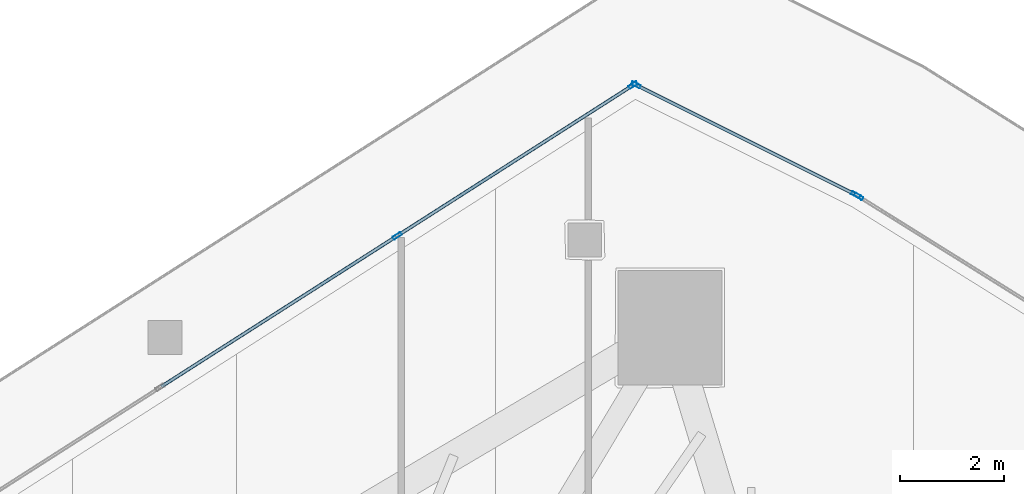
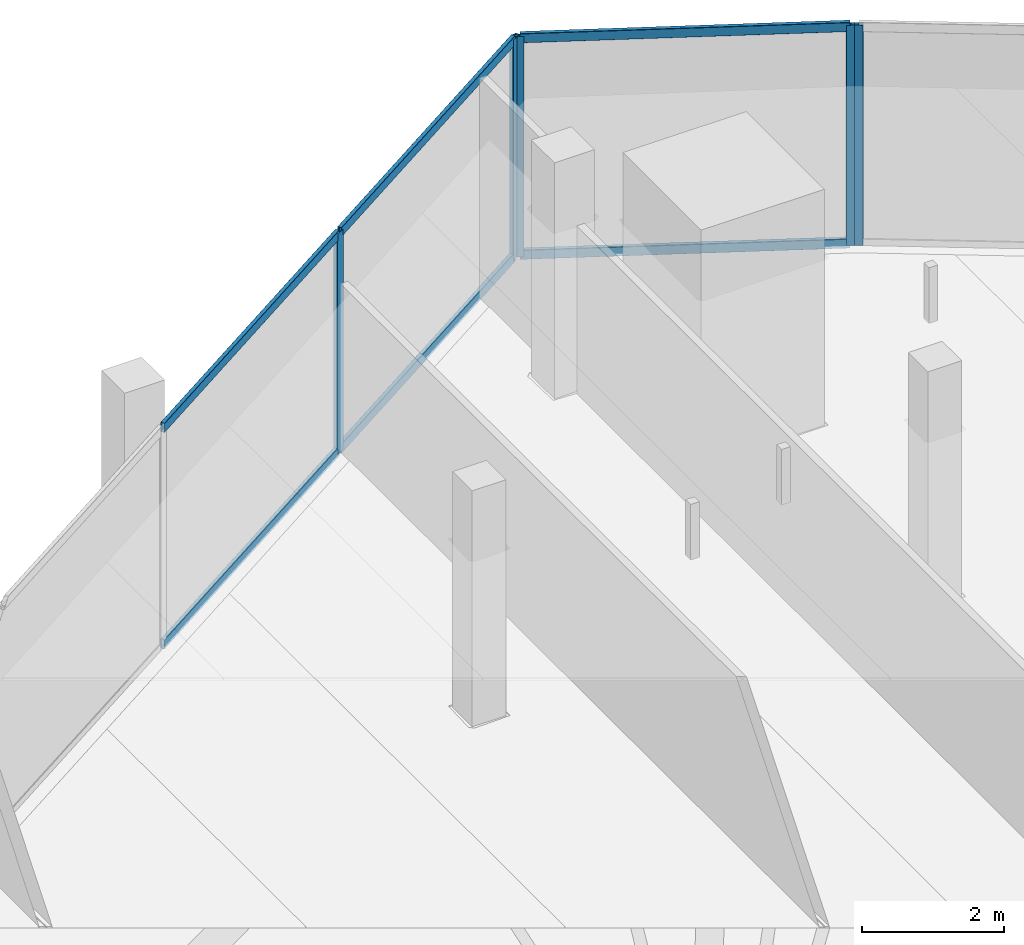
# One storey, part 21 of 38: 11 members, 3 elements without a shape of their own.
"""IFC4 building model written with IfcOpenShell, lengths in metres."""

from ifc_helpers import new_model, si_unit, direction, frame, origin, origin_2d, place, context, subcontext, project, spatial, hollow_rectangle, extrude, material, layer, layer_set, material_profile, profile_set, type_object, element, aggregate, save


model = new_model("IFC4")

# Units and contexts
model_context = context("Model", 3, precision=1e-05, world=origin(), true_north=direction((0.0, 1.0)))
body_context = subcontext(model_context, "Body", "Model", "MODEL_VIEW")
ifc_project = project(units=[si_unit("LENGTHUNIT", "METRE"), si_unit("AREAUNIT", "SQUARE_METRE"), si_unit("VOLUMEUNIT", "CUBIC_METRE"), si_unit("PLANEANGLEUNIT", "RADIAN"), si_unit("MASSUNIT", "GRAM", prefix="KILO")], contexts=[model_context])

# Site, building, storey
site_placement = place(None, origin())
site = spatial("IfcSite", under=ifc_project, at=site_placement, CompositionType="ELEMENT")
building_placement = place(site_placement, origin())
building = spatial("IfcBuilding", under=site, at=building_placement, Name="Qorvath Tower", CompositionType="ELEMENT")
storey_placement = place(building_placement, frame((0.0, 0.0, 146.25)))
storey = spatial("IfcBuildingStorey", under=building, at=storey_placement, Name="L33", CompositionType="ELEMENT", Elevation=146.25)

# Curtain wall, member
ifc_material_1 = material(Name="Anodised aluminium and triple low-E glass", Category="aluminium")
ifc_layer = layer(ifc_material_1, 0.179931640625)
ifc_layer_set = layer_set([ifc_layer], Name="CW-SYS-3")
curtain_wall_type = type_object("IfcCurtainWallType", Name="CW-SYS-3", PredefinedType="NOTDEFINED", material=ifc_layer_set)
curtain_wall_1_placement = place(storey_placement, origin())
curtain_wall_1 = element("IfcCurtainWall", 1, at=curtain_wall_1_placement, inside=storey, type_object=curtain_wall_type, Name="Curtain Wall CW-3 CW-T-L33-14.1", PredefinedType="NOTDEFINED")
ifc_material_2 = material(Name="Anodised aluminium 6063-T6", Category="aluminium")
ifc_material_profile_1 = material_profile(ifc_material_2, hollow_rectangle(XDim=0.06494140625, YDim=0.179931640625, WallThickness=0.00341796875, InnerFilletRadius=0.00341796875, OuterFilletRadius=0.007080078125, at=origin_2d()), Name="CWM 180x65")
ifc_profile_set_1 = profile_set([ifc_material_profile_1], Name="Anodised aluminium 6063-T6")
member_type_1 = type_object("IfcMemberType", Name="CWM-180", PredefinedType="MULLION", material=ifc_profile_set_1)
member_1_placement = place(storey_placement, frame((-11.726318359375, 27.7626953125, 0.0), z_axis=(0.0, 0.0, 1.0), x_axis=(-0.529441480387, -0.848346461563, 0.0)))
member_1 = element("IfcMember", 2, at=member_1_placement, type_object=member_type_1, Name="CW-3 mullion 3", PredefinedType="MULLION", context=body_context, shape_type="SweptSolid", body=[
    extrude(hollow_rectangle(XDim=0.06494140625, YDim=0.179931640625, WallThickness=0.00341796875, InnerFilletRadius=0.00341796875, OuterFilletRadius=0.007080078125, at=origin_2d()), origin(), (0.0, 0.0, 1.0), 3.780029296875),
])
aggregate(curtain_wall_1, [member_1])

# Curtain wall, members
curtain_wall_2_placement = place(storey_placement, origin())
curtain_wall_2 = element("IfcCurtainWall", 3, at=curtain_wall_2_placement, inside=storey, type_object=curtain_wall_type, Name="Curtain Wall CW-3 CW-T-L33-15.1", PredefinedType="NOTDEFINED")
member_2_placement = place(storey_placement, frame((-11.782958984375, 27.79443359375, 0.0), z_axis=(0.0, 0.0, 1.0), x_axis=(-0.447171738712, -0.89444811817, 0.0)))
member_2 = element("IfcMember", 4, at=member_2_placement, type_object=member_type_1, Name="CW-3 mullion 1", PredefinedType="MULLION", context=body_context, shape_type="SweptSolid", body=[
    extrude(hollow_rectangle(XDim=0.06494140625, YDim=0.179931640625, WallThickness=0.00341796875, InnerFilletRadius=0.00341796875, OuterFilletRadius=0.007080078125, at=origin_2d()), origin(), (0.0, 0.0, 1.0), 3.780029296875),
])
member_3_placement = place(storey_placement, frame((-15.998779296875, 29.90185546875, 0.0), z_axis=(0.0, 0.0, 1.0), x_axis=(-0.447171738712, -0.89444811817, 0.0)))
member_3 = element("IfcMember", 5, at=member_3_placement, type_object=member_type_1, Name="CW-3 mullion 2", PredefinedType="MULLION", context=body_context, shape_type="SweptSolid", body=[
    extrude(hollow_rectangle(XDim=0.06494140625, YDim=0.179931640625, WallThickness=0.00341796875, InnerFilletRadius=0.00341796875, OuterFilletRadius=0.007080078125, at=origin_2d()), origin(), (0.0, 0.0, 1.0), 3.780029296875),
])

curtain_wall_3_placement = place(storey_placement, origin())
curtain_wall_3 = element("IfcCurtainWall", 6, at=curtain_wall_3_placement, inside=storey, type_object=curtain_wall_type, Name="Curtain Wall CW-3 CW-T-L33-16.1", PredefinedType="NOTDEFINED")
member_4_placement = place(storey_placement, frame((-16.05517578125, 29.89892578125, 0.0), z_axis=(0.0, 0.0, 1.0), x_axis=(0.53853296968, -0.842604438967, 0.0)))
member_4 = element("IfcMember", 7, at=member_4_placement, type_object=member_type_1, Name="CW-3 mullion 1", PredefinedType="MULLION", context=body_context, shape_type="SweptSolid", body=[
    extrude(hollow_rectangle(XDim=0.06494140625, YDim=0.179931640625, WallThickness=0.00341796875, InnerFilletRadius=0.00341796875, OuterFilletRadius=0.007080078125, at=origin_2d()), origin(), (0.0, 0.0, 1.0), 3.780029296875),
])
member_5_placement = place(storey_placement, frame((-20.57861328125, 27.008056640625, 0.0), z_axis=(0.0, 0.0, 1.0), x_axis=(0.53853296968, -0.842604438967, 0.0)))
member_5 = element("IfcMember", 8, at=member_5_placement, type_object=member_type_1, Name="CW-3 mullion 2", PredefinedType="MULLION", context=body_context, shape_type="SweptSolid", body=[
    extrude(hollow_rectangle(XDim=0.06494140625, YDim=0.179931640625, WallThickness=0.00341796875, InnerFilletRadius=0.00341796875, OuterFilletRadius=0.007080078125, at=origin_2d()), origin(), (0.0, 0.0, 1.0), 3.780029296875),
])

# Member
ifc_material_3 = material(Name="Anodised aluminium 6063-T6", Category="aluminium")
ifc_material_profile_2 = material_profile(ifc_material_3, hollow_rectangle(XDim=0.06494140625, YDim=0.159912109375, WallThickness=0.00341796875, InnerFilletRadius=0.00341796875, OuterFilletRadius=0.007080078125, at=origin_2d()), Name="CWT 160x65")
ifc_profile_set_2 = profile_set([ifc_material_profile_2], Name="Anodised aluminium 6063-T6")
member_type_2 = type_object("IfcMemberType", Name="CWT-160", PredefinedType="USERDEFINED", material=ifc_profile_set_2)
member_6_placement = place(storey_placement, frame((-11.81201171875, 27.808837890625, 0.032470703125), z_axis=(-0.894448198779, 0.447171577475, 0.0), x_axis=(-0.447171577475, -0.894448198779, 0.0)))
member_6 = element("IfcMember", 9, at=member_6_placement, type_object=member_type_2, Name="CW-3 transom 1.1", ObjectType="TRANSOM", PredefinedType="USERDEFINED", context=body_context, shape_type="SweptSolid", body=[
    extrude(hollow_rectangle(XDim=0.06494140625, YDim=0.159912109375, WallThickness=0.00341796875, InnerFilletRadius=0.00341796875, OuterFilletRadius=0.007080078125, at=origin_2d()), origin(), (0.0, 0.0, 1.0), 4.6484375),
])

member_7_placement = place(storey_placement, frame((-11.81201171875, 27.808837890625, 3.74755859375), z_axis=(-0.894448198779, 0.447171577475, 0.0), x_axis=(-0.447171577475, -0.894448198779, 0.0)))
member_7 = element("IfcMember", 10, at=member_7_placement, type_object=member_type_2, Name="CW-3 transom 1.2", ObjectType="TRANSOM", PredefinedType="USERDEFINED", context=body_context, shape_type="SweptSolid", body=[
    extrude(hollow_rectangle(XDim=0.06494140625, YDim=0.159912109375, WallThickness=0.00341796875, InnerFilletRadius=0.00341796875, OuterFilletRadius=0.007080078125, at=origin_2d()), origin(), (0.0, 0.0, 1.0), 4.6484375),
])

aggregate(curtain_wall_2, [member_2, member_3, member_6, member_7])

member_8_placement = place(storey_placement, frame((-16.08251953125, 29.881591796875, 0.032470703125), z_axis=(-0.84259645993, -0.538545453711, 0.0), x_axis=(0.538545453711, -0.84259645993, 0.0)))
member_8 = element("IfcMember", 11, at=member_8_placement, type_object=member_type_2, Name="CW-3 transom 1.1", ObjectType="TRANSOM", PredefinedType="USERDEFINED", context=body_context, shape_type="SweptSolid", body=[
    extrude(hollow_rectangle(XDim=0.06494140625, YDim=0.159912109375, WallThickness=0.00341796875, InnerFilletRadius=0.00341796875, OuterFilletRadius=0.007080078125, at=origin_2d()), origin(), (0.0, 0.0, 1.0), 5.303466796875),
])

member_9_placement = place(storey_placement, frame((-16.08251953125, 29.881591796875, 3.74755859375), z_axis=(-0.84259645993, -0.538545453711, 0.0), x_axis=(0.538545453711, -0.84259645993, 0.0)))
member_9 = element("IfcMember", 12, at=member_9_placement, type_object=member_type_2, Name="CW-3 transom 1.2", ObjectType="TRANSOM", PredefinedType="USERDEFINED", context=body_context, shape_type="SweptSolid", body=[
    extrude(hollow_rectangle(XDim=0.06494140625, YDim=0.159912109375, WallThickness=0.00341796875, InnerFilletRadius=0.00341796875, OuterFilletRadius=0.007080078125, at=origin_2d()), origin(), (0.0, 0.0, 1.0), 5.303466796875),
])

member_10_placement = place(storey_placement, frame((-20.60595703125, 26.990478515625, 0.032470703125), z_axis=(-0.842608601225, -0.538526457234, 0.0), x_axis=(0.538526457234, -0.842608601225, 0.0)))
member_10 = element("IfcMember", 13, at=member_10_placement, type_object=member_type_2, Name="CW-3 transom 2.1", ObjectType="TRANSOM", PredefinedType="USERDEFINED", context=body_context, shape_type="SweptSolid", body=[
    extrude(hollow_rectangle(XDim=0.06494140625, YDim=0.159912109375, WallThickness=0.00341796875, InnerFilletRadius=0.00341796875, OuterFilletRadius=0.007080078125, at=origin_2d()), origin(), (0.0, 0.0, 1.0), 5.3359375),
])

member_11_placement = place(storey_placement, frame((-20.60595703125, 26.990478515625, 3.74755859375), z_axis=(-0.842608601225, -0.538526457234, 0.0), x_axis=(0.538526457234, -0.842608601225, 0.0)))
member_11 = element("IfcMember", 14, at=member_11_placement, type_object=member_type_2, Name="CW-3 transom 2.2", ObjectType="TRANSOM", PredefinedType="USERDEFINED", context=body_context, shape_type="SweptSolid", body=[
    extrude(hollow_rectangle(XDim=0.06494140625, YDim=0.159912109375, WallThickness=0.00341796875, InnerFilletRadius=0.00341796875, OuterFilletRadius=0.007080078125, at=origin_2d()), origin(), (0.0, 0.0, 1.0), 5.3359375),
])

aggregate(curtain_wall_3, [member_4, member_5, member_8, member_9, member_10, member_11])

save(model, "model.ifc")
